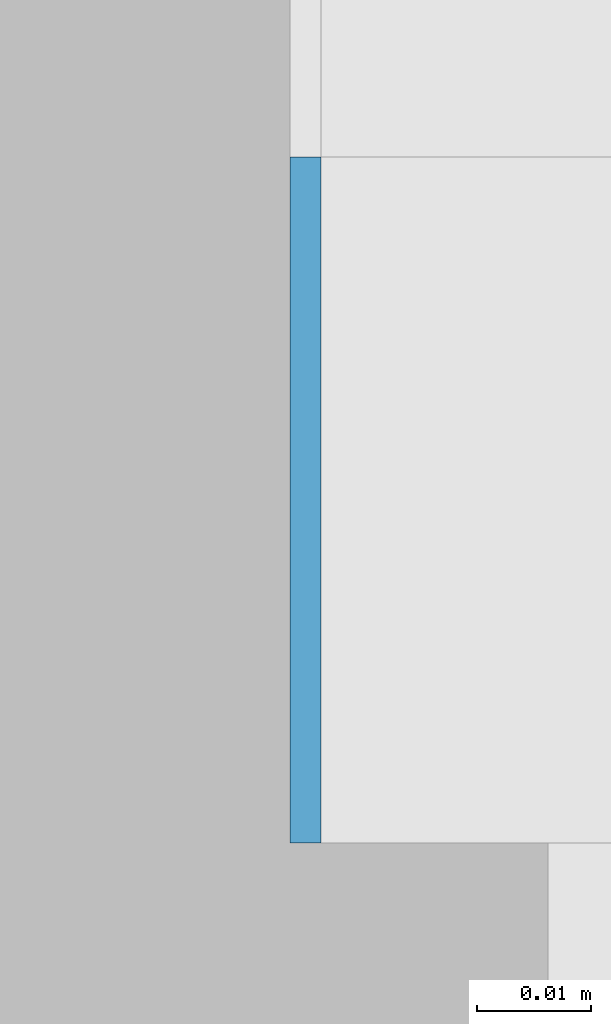
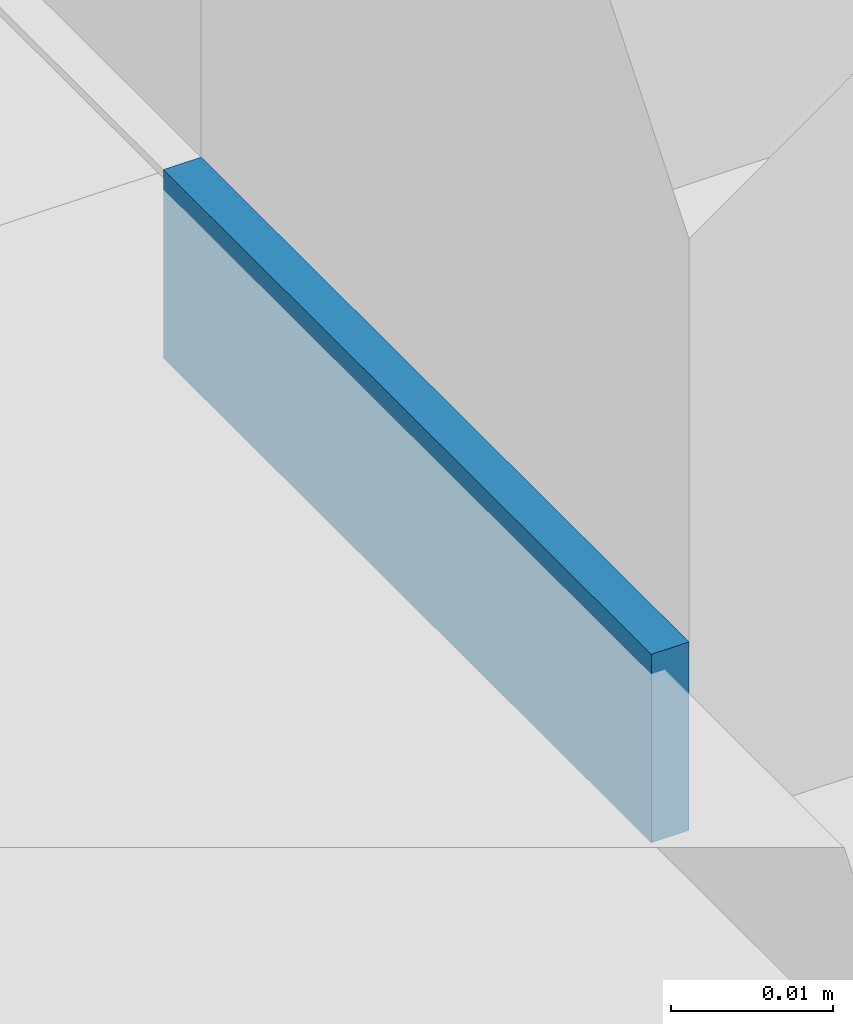
# One storey, part 460 of 646: 1 discrete accessory.
"""IFC4 building model written with IfcOpenShell, lengths in metres."""

from ifc_helpers import new_model, si_unit, direction, frame, origin, origin_2d, place, context, subcontext, project, spatial, rectangle, extrude, material, type_object, element, save


model = new_model("IFC4")

# Units and contexts
model_context = context("Model", 3, precision=1e-05, world=origin(), true_north=direction((0.0, 1.0)))
body_context = subcontext(model_context, "Body", "Model", "MODEL_VIEW")
ifc_project = project(units=[si_unit("LENGTHUNIT", "METRE"), si_unit("AREAUNIT", "SQUARE_METRE"), si_unit("VOLUMEUNIT", "CUBIC_METRE"), si_unit("PLANEANGLEUNIT", "RADIAN"), si_unit("MASSUNIT", "GRAM", prefix="KILO")], contexts=[model_context])

# Site, building, storey
site_placement = place(None, origin())
site = spatial("IfcSite", under=ifc_project, at=site_placement, CompositionType="ELEMENT")
building_placement = place(site_placement, origin())
building = spatial("IfcBuilding", under=site, at=building_placement, Name="Silverbay Arena", CompositionType="ELEMENT")
storey_placement = place(building_placement, frame((0.0, 0.0, 33.5)))
storey = spatial("IfcBuildingStorey", under=building, at=storey_placement, Name="L05", CompositionType="ELEMENT", Elevation=33.5)

# Discrete accessory
ifc_material = material(Name="Steel S355", Category="steel")
discrete_accessory_type = type_object("IfcDiscreteAccessoryType", Name="Steel bracket plate", PredefinedType="BRACKET", material=ifc_material)
discrete_accessory_placement = place(storey_placement, frame((207.128662109375, 44.969970703125, 4.0), z_axis=(0.0, 0.0, 1.0), x_axis=(1.0, 0.0, 0.0)))
element("IfcDiscreteAccessory", 1, at=discrete_accessory_placement, inside=storey, type_object=discrete_accessory_type, Name="Curtain wall packing plate", PredefinedType="BRACKET", context=body_context, shape_type="SweptSolid", body=[
    extrude(rectangle(XDim=0.002685546875, YDim=0.06005859375, at=origin_2d()), origin(), (0.0, 0.0, 1.0), 0.01416015625),
])

save(model, "model.ifc")
